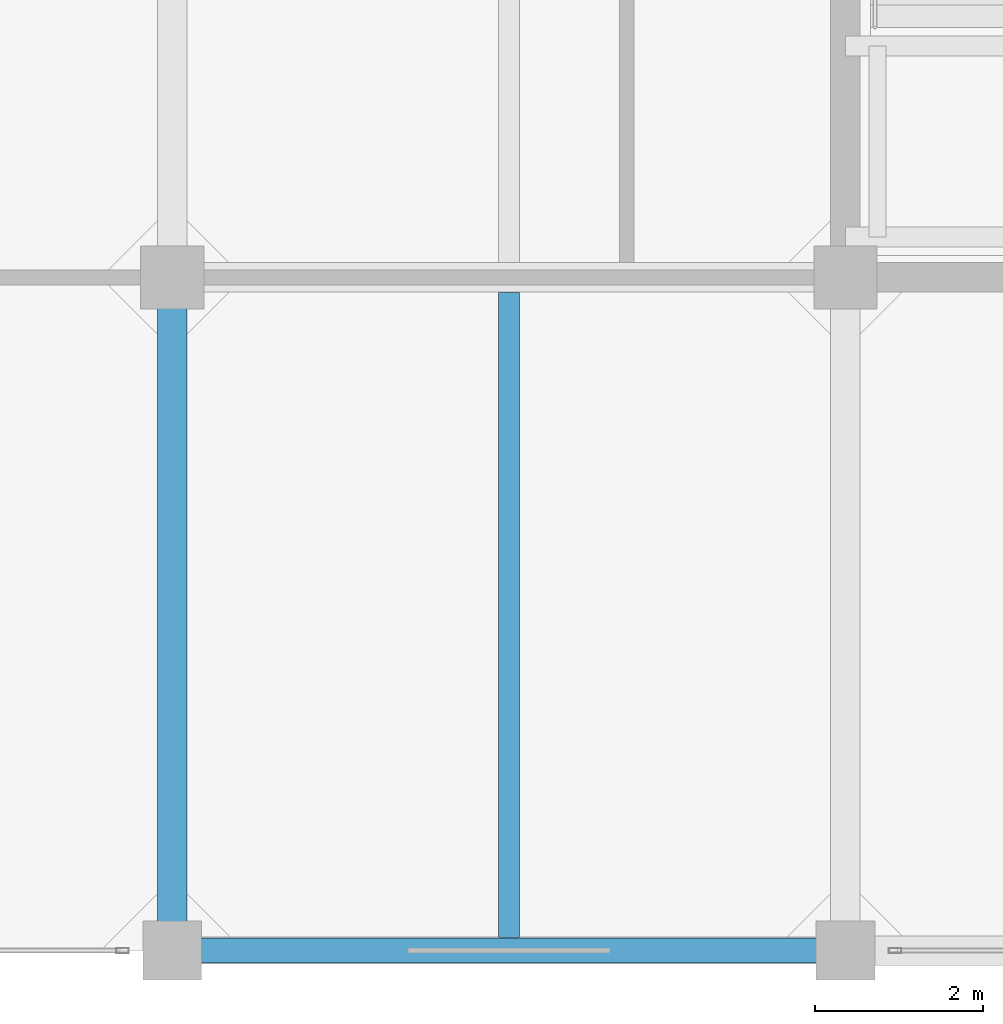
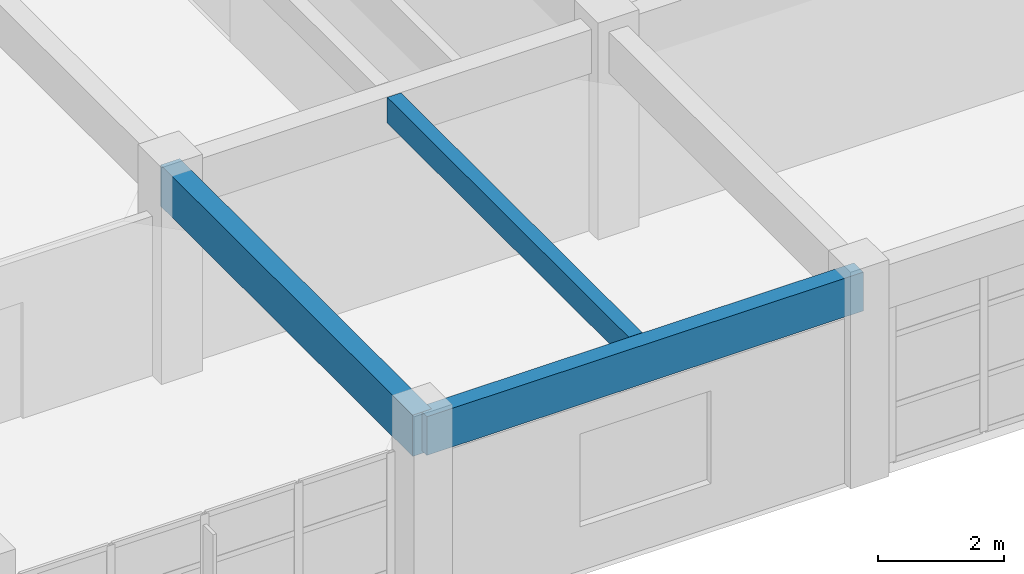
# One storey, part 3 of 27: 3 beams.
"""IFC4 building model written with IfcOpenShell, lengths in metres."""

from ifc_helpers import new_model, si_unit, direction, frame, origin, origin_2d, place, context, subcontext, project, spatial, rectangle, extrude, material, material_profile, profile_set, type_object, element, save


model = new_model("IFC4")

# Units and contexts
model_context = context("Model", 3, precision=1e-05, world=origin(), true_north=direction((0.0, 1.0)))
body_context = subcontext(model_context, "Body", "Model", "MODEL_VIEW")
ifc_project = project(units=[si_unit("LENGTHUNIT", "METRE"), si_unit("AREAUNIT", "SQUARE_METRE"), si_unit("VOLUMEUNIT", "CUBIC_METRE"), si_unit("PLANEANGLEUNIT", "RADIAN"), si_unit("MASSUNIT", "GRAM", prefix="KILO")], contexts=[model_context])

# Site, building, storey
site_placement = place(None, origin())
site = spatial("IfcSite", under=ifc_project, at=site_placement, CompositionType="ELEMENT")
building_placement = place(site_placement, origin())
building = spatial("IfcBuilding", under=site, at=building_placement, Name="Canggui Botanical Conservatory", CompositionType="ELEMENT")
storey_placement = place(building_placement, frame((0.0, 0.0, 36.0)))
storey = spatial("IfcBuildingStorey", under=building, at=storey_placement, Name="L09", CompositionType="ELEMENT", Elevation=36.0)

# Beams
ifc_material = material(Name="Concrete C35", Category="concrete")
ifc_material_profile_1 = material_profile(ifc_material, rectangle(XDim=0.25, YDim=0.5, at=origin_2d()), Name="RB 250x500")
ifc_profile_set_1 = profile_set([ifc_material_profile_1], Name="Concrete C35")
beam_type_1 = type_object("IfcBeamType", Name="BM-JST04", PredefinedType="JOIST", material=ifc_profile_set_1)
beam_1_placement = place(storey_placement, frame((150.0, 34.155029296875, 3.7099609375), z_axis=(0.0, 1.0, 0.0), x_axis=(-1.0, 0.0, 0.0)))
element("IfcBeam", 1, at=beam_1_placement, inside=storey, type_object=beam_type_1, Name="Secondary Floor Joist L09-1-1", PredefinedType="JOIST", context=body_context, shape_type="SweptSolid", body=[
    extrude(rectangle(XDim=0.25, YDim=0.5, at=origin_2d()), origin(), (0.0, 0.0, 1.0), 7.6650390625),
])
ifc_material_profile_2 = material_profile(ifc_material, rectangle(XDim=0.35009765625, YDim=0.800048828125, at=origin_2d()), Name="RB 350x800")
ifc_profile_set_2 = profile_set([ifc_material_profile_2], Name="Concrete C35")
beam_type_2 = type_object("IfcBeamType", Name="BM-KL15", PredefinedType="BEAM", material=ifc_profile_set_2)
beam_2_placement = place(storey_placement, frame((146.0, 34.0, 3.56005859375), z_axis=(0.0, 1.0, 0.0), x_axis=(-1.0, 0.0, 0.0)))
element("IfcBeam", 2, at=beam_2_placement, inside=storey, type_object=beam_type_2, Name="Frame Girder L09 X146-1", PredefinedType="BEAM", context=body_context, shape_type="SweptSolid", body=[
    extrude(rectangle(XDim=0.35009765625, YDim=0.800048828125, at=origin_2d()), origin(), (0.0, 0.0, 1.0), 8.0),
])
ifc_material_profile_3 = material_profile(ifc_material, rectangle(XDim=0.300048828125, YDim=0.75, at=origin_2d()), Name="RB 300x750")
ifc_profile_set_3 = profile_set([ifc_material_profile_3], Name="Concrete C35")
beam_type_3 = type_object("IfcBeamType", Name="BM-SPD01", PredefinedType="SPANDREL", material=ifc_profile_set_3)
beam_3_placement = place(storey_placement, frame((146.0, 34.0, 3.5849609375), z_axis=(1.0, 0.0, 0.0), x_axis=(0.0, 1.0, 0.0)))
element("IfcBeam", 3, at=beam_3_placement, inside=storey, type_object=beam_type_3, Name="Frame Girder L09 Y34-1", PredefinedType="SPANDREL", context=body_context, shape_type="SweptSolid", body=[
    extrude(rectangle(XDim=0.300048828125, YDim=0.75, at=origin_2d()), origin(), (0.0, 0.0, 1.0), 8.0),
])

save(model, "model.ifc")
